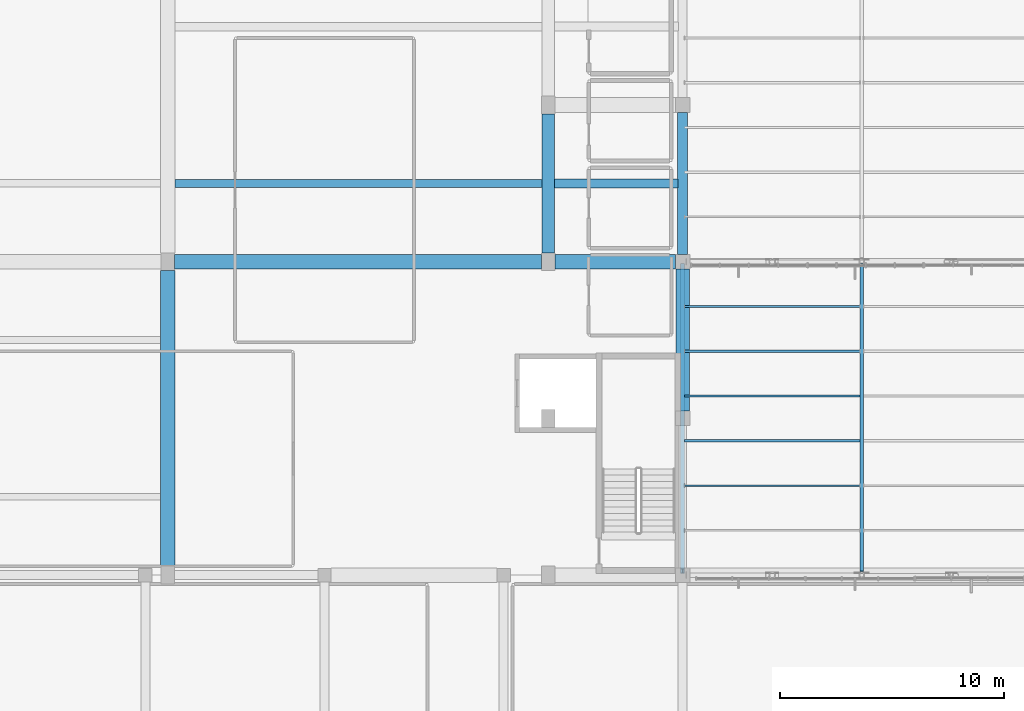
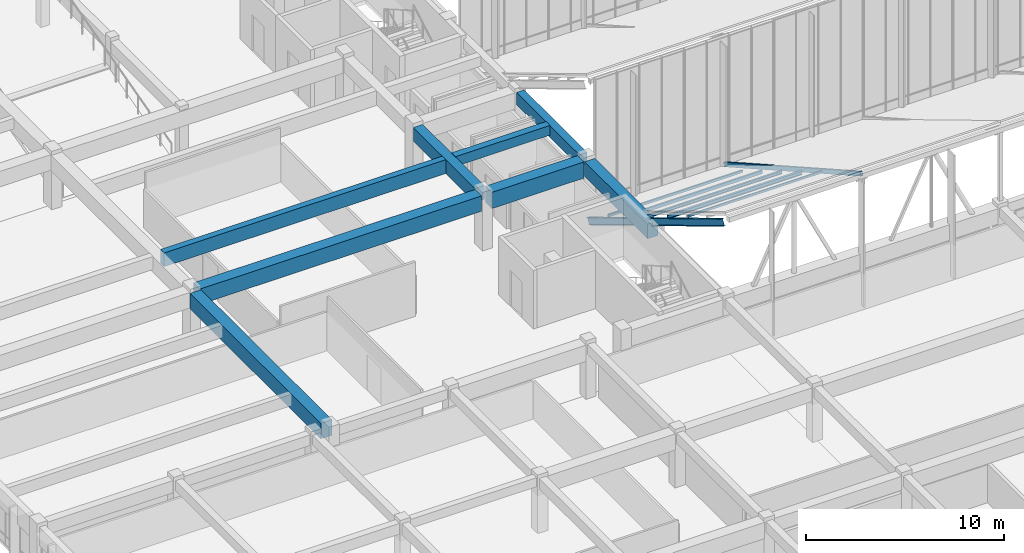
# One storey, part 37 of 155: 9 beams, 6 members.
"""IFC4 building model written with IfcOpenShell, lengths in metres."""

from ifc_helpers import new_model, si_unit, direction, frame, origin, origin_2d, place, context, subcontext, project, spatial, rectangle, hollow_rectangle, i_section, extrude, material, material_profile, profile_set, type_object, element, save


model = new_model("IFC4")

# Units and contexts
model_context = context("Model", 3, precision=1e-05, world=origin(), true_north=direction((0.0, 1.0)))
body_context = subcontext(model_context, "Body", "Model", "MODEL_VIEW")
ifc_project = project(units=[si_unit("LENGTHUNIT", "METRE"), si_unit("AREAUNIT", "SQUARE_METRE"), si_unit("VOLUMEUNIT", "CUBIC_METRE"), si_unit("PLANEANGLEUNIT", "RADIAN"), si_unit("MASSUNIT", "GRAM", prefix="KILO")], contexts=[model_context])

# Site, building, storey
site_placement = place(None, origin())
site = spatial("IfcSite", under=ifc_project, at=site_placement, CompositionType="ELEMENT")
building_placement = place(site_placement, origin())
building = spatial("IfcBuilding", under=site, at=building_placement, Name="Larkveld Mobility Hub", CompositionType="ELEMENT")
storey_placement = place(building_placement, frame((0.0, 0.0, 8.39990234375)))
storey = spatial("IfcBuildingStorey", under=building, at=storey_placement, Name="L02", CompositionType="ELEMENT", Elevation=8.39990234375)

# Beams
ifc_material_1 = material(Name="Precast concrete C50/60", Category="concrete")
ifc_material_profile_1 = material_profile(ifc_material_1, rectangle(XDim=0.360107421875, YDim=0.85009765625, at=origin_2d()), Name="PC DT 360x850")
ifc_profile_set_1 = profile_set([ifc_material_profile_1], Name="Precast concrete C50/60")
beam_type_1 = type_object("IfcBeamType", Name="BM-DT3685", PredefinedType="T_BEAM", material=ifc_profile_set_1)
beam_1_placement = place(storey_placement, frame((129.320068359375, 45.5, 2.945068359375), z_axis=(1.0, 0.0, 0.0), x_axis=(0.0, 1.0, 0.0)))
element("IfcBeam", 1, at=beam_1_placement, inside=storey, type_object=beam_type_1, Name="Precast Double-Tee Stem L02-1085", PredefinedType="T_BEAM", context=body_context, shape_type="SweptSolid", body=[
    extrude(rectangle(XDim=0.360107421875, YDim=0.85009765625, at=origin_2d()), origin(), (0.0, 0.0, 1.0), 16.409912109375),
])
ifc_material_profile_2 = material_profile(ifc_material_1, rectangle(XDim=0.64990234375, YDim=0.949951171875, at=origin_2d()), Name="PC ITB 650x950")
ifc_profile_set_2 = profile_set([ifc_material_profile_2], Name="Precast concrete C50/60")
beam_type_2 = type_object("IfcBeamType", Name="BM-ITB6595", PredefinedType="T_BEAM", material=ifc_profile_set_2)
beam_2_placement = place(storey_placement, frame((129.300048828125, 42.0, 2.885009765625), z_axis=(1.0, 0.0, 0.0), x_axis=(0.0, 1.0, 0.0)))
element("IfcBeam", 2, at=beam_2_placement, inside=storey, type_object=beam_type_2, Name="Primary E-W Girder L02-0513", PredefinedType="T_BEAM", context=body_context, shape_type="SweptSolid", body=[
    extrude(rectangle(XDim=0.64990234375, YDim=0.949951171875, at=origin_2d()), origin(), (0.0, 0.0, 1.0), 16.39990234375),
])
beam_3_placement = place(storey_placement, frame((129.0, 28.39990234375, 2.885009765625), z_axis=(0.0, 1.0, 0.0), x_axis=(-1.0, 0.0, 0.0)))
element("IfcBeam", 3, at=beam_3_placement, inside=storey, type_object=beam_type_2, Name="Primary N-S Girder L02-0644", PredefinedType="T_BEAM", context=body_context, shape_type="SweptSolid", body=[
    extrude(rectangle(XDim=0.64990234375, YDim=0.949951171875, at=origin_2d()), origin(), (0.0, 0.0, 1.0), 13.2001953125),
])
ifc_material_2 = material(Name="Concrete C40/50", Category="concrete")
ifc_material_profile_3 = material_profile(ifc_material_2, rectangle(XDim=0.39990234375, YDim=0.60009765625, at=origin_2d()), Name="RC BM 400x600")
ifc_profile_set_3 = profile_set([ifc_material_profile_3], Name="Concrete C40/50")
beam_type_3 = type_object("IfcBeamType", Name="BM-RC4060", PredefinedType="BEAM", material=ifc_profile_set_3)
beam_4_placement = place(storey_placement, frame((146.27001953125, 45.5, 3.070068359375), z_axis=(1.0, 0.0, 0.0), x_axis=(0.0, 1.0, 0.0)))
element("IfcBeam", 4, at=beam_4_placement, inside=storey, type_object=beam_type_3, Name="Concourse Spine Joist L02-1086", PredefinedType="BEAM", context=body_context, shape_type="SweptSolid", body=[
    extrude(rectangle(XDim=0.39990234375, YDim=0.60009765625, at=origin_2d()), origin(), (0.0, 0.0, 1.0), 5.510009765625),
])
ifc_material_profile_4 = material_profile(ifc_material_2, rectangle(XDim=0.449951171875, YDim=0.75, at=origin_2d()), Name="RC BM 450x750")
ifc_profile_set_4 = profile_set([ifc_material_profile_4], Name="Concrete C40/50")
beam_type_4 = type_object("IfcBeamType", Name="BM-RC4575", PredefinedType="BEAM", material=ifc_profile_set_4)
beam_5_placement = place(storey_placement, frame((152.0, 42.324951171875, 2.985107421875), z_axis=(0.0, 1.0, 0.0), x_axis=(-1.0, 0.0, 0.0)))
element("IfcBeam", 5, at=beam_5_placement, inside=storey, type_object=beam_type_4, Name="Primary N-S Girder L02-0676", PredefinedType="BEAM", context=body_context, shape_type="SweptSolid", body=[
    extrude(rectangle(XDim=0.449951171875, YDim=0.75, at=origin_2d()), origin(), (0.0, 0.0, 1.0), 6.35009765625),
])
ifc_material_profile_5 = material_profile(ifc_material_2, rectangle(XDim=0.550048828125, YDim=0.85009765625, at=origin_2d()), Name="RC BM 550x850")
ifc_profile_set_5 = profile_set([ifc_material_profile_5], Name="Concrete C40/50")
beam_type_5 = type_object("IfcBeamType", Name="BM-RC5585", PredefinedType="BEAM", material=ifc_profile_set_5)
beam_6_placement = place(storey_placement, frame((146.0, 42.39990234375, 2.93505859375), z_axis=(0.0, 1.0, 0.0), x_axis=(-1.0, 0.0, 0.0)))
element("IfcBeam", 6, at=beam_6_placement, inside=storey, type_object=beam_type_5, Name="Primary N-S Girder L02-0663", PredefinedType="BEAM", context=body_context, shape_type="SweptSolid", body=[
    extrude(rectangle(XDim=0.550048828125, YDim=0.85009765625, at=origin_2d()), origin(), (0.0, 0.0, 1.0), 6.2001953125),
])
ifc_material_profile_6 = material_profile(ifc_material_2, rectangle(XDim=0.60009765625, YDim=0.89990234375, at=origin_2d()), Name="RC BM 600x900")
ifc_profile_set_6 = profile_set([ifc_material_profile_6], Name="Concrete C40/50")
beam_type_6 = type_object("IfcBeamType", Name="BM-RC6090", PredefinedType="BEAM", material=ifc_profile_set_6)
beam_7_placement = place(storey_placement, frame((152.0, 35.324951171875, 2.91015625), z_axis=(0.0, 1.0, 0.0), x_axis=(-1.0, 0.0, 0.0)))
element("IfcBeam", 7, at=beam_7_placement, inside=storey, type_object=beam_type_6, Name="Primary N-S Girder L02-0675", PredefinedType="BEAM", context=body_context, shape_type="SweptSolid", body=[
    extrude(rectangle(XDim=0.60009765625, YDim=0.89990234375, at=origin_2d()), origin(), (0.0, 0.0, 1.0), 6.35009765625),
])
ifc_material_profile_7 = material_profile(ifc_material_2, rectangle(XDim=0.64990234375, YDim=1.0, at=origin_2d()), Name="RC BM 650x1000")
ifc_profile_set_7 = profile_set([ifc_material_profile_7], Name="Concrete C40/50")
beam_type_7 = type_object("IfcBeamType", Name="BM-RC65100", PredefinedType="BEAM", material=ifc_profile_set_7)
beam_8_placement = place(storey_placement, frame((146.300048828125, 42.0, 2.860107421875), z_axis=(1.0, 0.0, 0.0), x_axis=(0.0, 1.0, 0.0)))
element("IfcBeam", 8, at=beam_8_placement, inside=storey, type_object=beam_type_7, Name="Primary E-W Girder L02-0514", PredefinedType="BEAM", context=body_context, shape_type="SweptSolid", body=[
    extrude(rectangle(XDim=0.64990234375, YDim=1.0, at=origin_2d()), origin(), (0.0, 0.0, 1.0), 5.375),
])
ifc_material_3 = material(Name="Steel S355JR", Category="steel")
ifc_material_profile_8 = material_profile(ifc_material_3, i_section(OverallWidth=0.179931640625, OverallDepth=0.39990234375, WebThickness=0.008544921875, FlangeThickness=0.013427734375, FilletRadius=0.02099609375, at=origin_2d()), Name="IPE 400")
ifc_profile_set_8 = profile_set([ifc_material_profile_8], Name="Steel S355JR")
beam_type_8 = type_object("IfcBeamType", Name="BM-STIPE400", PredefinedType="BEAM", material=ifc_profile_set_8)
beam_9_placement = place(storey_placement, frame((152.0, 28.179931640625, 7.708984375), z_axis=(0.0, 0.85749969687, -0.514484469998), x_axis=(-1.0, 0.0, 0.0)))
element("IfcBeam", 9, at=beam_9_placement, inside=storey, type_object=beam_type_8, Name="ROOF TRUSS Sawtooth Edge Rafter B1-152", PredefinedType="BEAM", context=body_context, shape_type="SweptSolid", body=[
    extrude(i_section(OverallWidth=0.179931640625, OverallDepth=0.39990234375, WebThickness=0.008544921875, FlangeThickness=0.013427734375, FilletRadius=0.02099609375, at=origin_2d()), origin(), (0.0, 0.0, 1.0), 15.906982421875),
])

# Members
ifc_material_profile_9 = material_profile(ifc_material_3, hollow_rectangle(XDim=0.14990234375, YDim=0.25, WallThickness=0.010009765625, at=origin_2d()), Name="RHS 250x150x10")
ifc_profile_set_9 = profile_set([ifc_material_profile_9], Name="Steel S355JR")
member_type_1 = type_object("IfcMemberType", Name="MB-CH-RHS250", PredefinedType="CHORD", material=ifc_profile_set_9)
member_1_placement = place(storey_placement, frame((160.0, 28.1201171875, 7.9501953125), z_axis=(0.0, 0.870759014799, -0.491710014283), x_axis=(-1.0, 0.0, 0.0)))
element("IfcMember", 10, at=member_1_placement, inside=storey, type_object=member_type_1, Name="ROOF TRUSS Sloped Rafter Chord B1-160", PredefinedType="CHORD", context=body_context, shape_type="SweptSolid", body=[
    extrude(hollow_rectangle(XDim=0.14990234375, YDim=0.25, WallThickness=0.010009765625, at=origin_2d()), origin(), (0.0, 0.0, 1.0), 15.802001953125),
])
ifc_material_profile_10 = material_profile(ifc_material_3, i_section(OverallWidth=0.10009765625, OverallDepth=0.199951171875, WebThickness=0.005615234375, FlangeThickness=0.008544921875, FilletRadius=0.011962890625, at=origin_2d()), Name="IPE 200")
ifc_profile_set_10 = profile_set([ifc_material_profile_10], Name="Steel S355JR")
member_type_2 = type_object("IfcMemberType", Name="MB-PR-IPE200", PredefinedType="PURLIN", material=ifc_profile_set_10)
member_2_placement = place(storey_placement, frame((152.080078125, 36.0, 3.30712890625), z_axis=(1.0, 0.0, 0.0), x_axis=(0.0, 1.0, 0.0)))
element("IfcMember", 11, at=member_2_placement, inside=storey, type_object=member_type_2, Name="Sawtooth Roof Purlin B1-4.1", PredefinedType="PURLIN", context=body_context, shape_type="SweptSolid", body=[
    extrude(i_section(OverallWidth=0.10009765625, OverallDepth=0.199951171875, WebThickness=0.005615234375, FlangeThickness=0.008544921875, FilletRadius=0.011962890625, at=origin_2d()), origin(), (0.0, 0.0, 1.0), 7.83984375),
])
ifc_material_profile_11 = material_profile(ifc_material_3, i_section(OverallWidth=0.1201171875, OverallDepth=0.239990234375, WebThickness=0.006103515625, FlangeThickness=0.009765625, FilletRadius=0.014892578125, at=origin_2d()), Name="IPE 240")
ifc_profile_set_11 = profile_set([ifc_material_profile_11], Name="Steel S355JR")
member_type_3 = type_object("IfcMemberType", Name="MB-PR-IPE240", PredefinedType="PURLIN", material=ifc_profile_set_11)
member_3_placement = place(storey_placement, frame((152.080078125, 34.0, 4.487060546875), z_axis=(1.0, 0.0, 0.0), x_axis=(0.0, 1.0, 0.0)))
element("IfcMember", 12, at=member_3_placement, inside=storey, type_object=member_type_3, Name="Sawtooth Roof Purlin B1-3.1", PredefinedType="PURLIN", context=body_context, shape_type="SweptSolid", body=[
    extrude(i_section(OverallWidth=0.1201171875, OverallDepth=0.239990234375, WebThickness=0.006103515625, FlangeThickness=0.009765625, FilletRadius=0.014892578125, at=origin_2d()), origin(), (0.0, 0.0, 1.0), 7.83984375),
])
ifc_material_profile_12 = material_profile(ifc_material_3, hollow_rectangle(XDim=0.070068359375, YDim=0.139892578125, WallThickness=0.00634765625, at=origin_2d()), Name="RHS 140x70x6.3")
ifc_profile_set_12 = profile_set([ifc_material_profile_12], Name="Steel S355JR")
member_type_4 = type_object("IfcMemberType", Name="MB-PR-RHS140", PredefinedType="PURLIN", material=ifc_profile_set_12)
member_4_placement = place(storey_placement, frame((152.080078125, 32.0, 5.737060546875), z_axis=(1.0, 0.0, 0.0), x_axis=(0.0, 1.0, 0.0)))
element("IfcMember", 13, at=member_4_placement, inside=storey, type_object=member_type_4, Name="Sawtooth Roof Purlin B1-2.1", PredefinedType="PURLIN", context=body_context, shape_type="SweptSolid", body=[
    extrude(hollow_rectangle(XDim=0.070068359375, YDim=0.139892578125, WallThickness=0.00634765625, at=origin_2d()), origin(), (0.0, 0.0, 1.0), 7.83984375),
])
ifc_material_profile_13 = material_profile(ifc_material_3, hollow_rectangle(XDim=0.080078125, YDim=0.159912109375, WallThickness=0.008056640625, at=origin_2d()), Name="RHS 160x80x8")
ifc_profile_set_13 = profile_set([ifc_material_profile_13], Name="Steel S355JR")
member_type_5 = type_object("IfcMemberType", Name="MB-PR-RHS160", PredefinedType="PURLIN", material=ifc_profile_set_13)
member_5_placement = place(storey_placement, frame((152.080078125, 40.0, 0.927001953125), z_axis=(1.0, 0.0, 0.0), x_axis=(0.0, 1.0, 0.0)))
element("IfcMember", 14, at=member_5_placement, inside=storey, type_object=member_type_5, Name="Sawtooth Roof Purlin B1-6.1", PredefinedType="PURLIN", context=body_context, shape_type="SweptSolid", body=[
    extrude(hollow_rectangle(XDim=0.080078125, YDim=0.159912109375, WallThickness=0.008056640625, at=origin_2d()), origin(), (0.0, 0.0, 1.0), 7.83984375),
])
ifc_material_profile_14 = material_profile(ifc_material_3, hollow_rectangle(XDim=0.10009765625, YDim=0.199951171875, WallThickness=0.008056640625, at=origin_2d()), Name="RHS 200x100x8")
ifc_profile_set_14 = profile_set([ifc_material_profile_14], Name="Steel S355JR")
member_type_6 = type_object("IfcMemberType", Name="MB-PR-RHS200", PredefinedType="PURLIN", material=ifc_profile_set_14)
member_6_placement = place(storey_placement, frame((152.080078125, 38.0, 2.107177734375), z_axis=(1.0, 0.0, 0.0), x_axis=(0.0, 1.0, 0.0)))
element("IfcMember", 15, at=member_6_placement, inside=storey, type_object=member_type_6, Name="Sawtooth Roof Purlin B1-5.1", PredefinedType="PURLIN", context=body_context, shape_type="SweptSolid", body=[
    extrude(hollow_rectangle(XDim=0.10009765625, YDim=0.199951171875, WallThickness=0.008056640625, at=origin_2d()), origin(), (0.0, 0.0, 1.0), 7.83984375),
])

save(model, "model.ifc")
